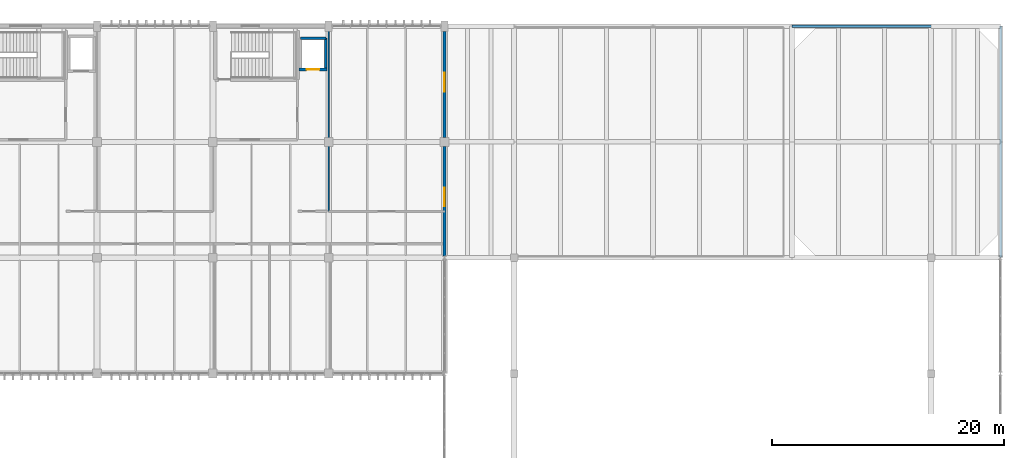
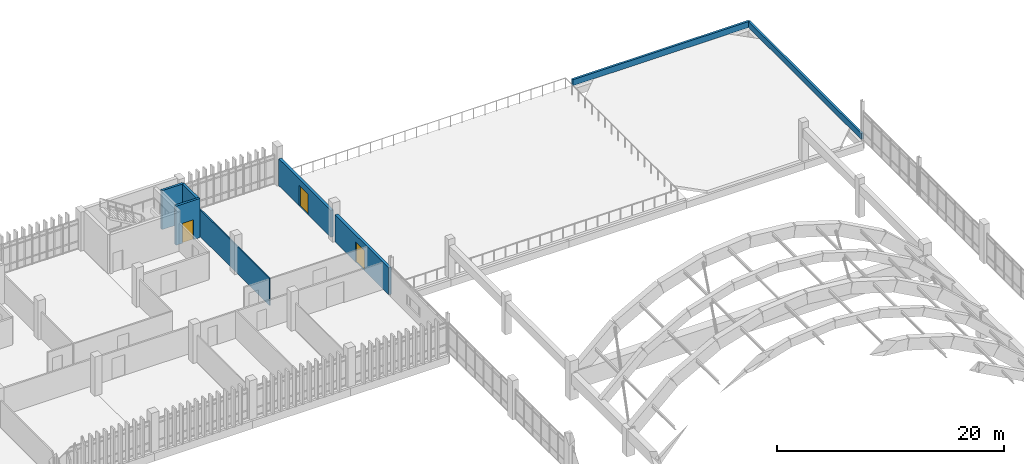
# One storey, part 106 of 111: 8 walls, 3 doors, 3 openings.
"""IFC4 building model written with IfcOpenShell, lengths in metres."""

from ifc_helpers import new_model, si_unit, direction, frame, frame_2d, origin, place, context, subcontext, project, spatial, rectangle, extrude, material, layer, layer_set, type_object, element, fill, save


model = new_model("IFC4")

# Units and contexts
model_context = context("Model", 3, precision=1e-05, world=origin(), true_north=direction((0.0, 1.0)))
body_context = subcontext(model_context, "Body", "Model", "MODEL_VIEW")
ifc_project = project(units=[si_unit("LENGTHUNIT", "METRE"), si_unit("AREAUNIT", "SQUARE_METRE"), si_unit("VOLUMEUNIT", "CUBIC_METRE"), si_unit("PLANEANGLEUNIT", "RADIAN"), si_unit("MASSUNIT", "GRAM", prefix="KILO")], contexts=[model_context])

# Site, building, storey
site_placement = place(None, origin())
site = spatial("IfcSite", under=ifc_project, at=site_placement, CompositionType="ELEMENT")
building_placement = place(site_placement, origin())
building = spatial("IfcBuilding", under=site, at=building_placement, Name="Mersad Railyard Sports Hall", CompositionType="ELEMENT")
storey_placement = place(building_placement, frame((0.0, 0.0, 9.0)))
storey = spatial("IfcBuildingStorey", under=building, at=storey_placement, Name="L02", CompositionType="ELEMENT", Elevation=9.0)

# Wall, opening, door
ifc_material_1 = material(Name="Precast concrete C45/55", Category="concrete")
ifc_layer_1 = layer(ifc_material_1, 0.280029296875)
ifc_layer_set_1 = layer_set([ifc_layer_1], Name="Precast concrete C45/55")
wall_type_1 = type_object("IfcWallType", Name="ARC-WL-EW03", PredefinedType="SOLIDWALL", material=ifc_layer_set_1)
wall_1_placement = place(storey_placement, frame((131.0, 104.625, 0.0), z_axis=(0.0, 0.0, 1.0), x_axis=(0.0, -1.0, 0.0)))
wall_1 = element("IfcWall", 1, at=wall_1_placement, inside=storey, type_object=wall_type_1, Name="External wall EW03-0127", PredefinedType="SOLIDWALL", context=body_context, shape_type="SweptSolid", body=[
    extrude(rectangle(XDim=9.47509765625, YDim=0.280029296875, at=frame_2d((4.737548828125, 0.0))), origin(), (0.0, 0.0, 1.0), 2.905029296875),
])
opening_1_placement = place(wall_1_placement, frame((3.60009765625, 0.0, 0.0)))
opening_1 = element("IfcOpeningElement", 2, at=opening_1_placement, cuts=wall_1, Name="Opening TD02", PredefinedType="OPENING", context=body_context, shape_type="SweptSolid", body=[
    extrude(rectangle(XDim=1.60009765625, YDim=2.199951171875, at=frame_2d((0.800048828125, 1.10009765625))), frame((0.0, 0.14990234375, 0.0), z_axis=(0.0, -1.0, 0.0), x_axis=(1.0, 0.0, 0.0)), (0.0, 0.0, 1.0), 0.300048828125),
])
ifc_material_2 = material(Name="Aluminium 6063-T6", Category="aluminium")
door_type_1 = type_object("IfcDoorType", Name="ARC-DR-TD02", OperationType="NOTDEFINED", PredefinedType="DOOR", material=ifc_material_2)
door_1_placement = place(opening_1_placement, origin())
door_1 = element("IfcDoor", 3, at=door_1_placement, inside=storey, type_object=door_type_1, Name="L02 east terrace door TD02-040", OperationType="DOUBLE_DOOR_SINGLE_SWING", OverallHeight=2.199951171875, OverallWidth=1.60009765625, PredefinedType="DOOR", context=body_context, shape_type="SweptSolid", body=[
    extrude(rectangle(XDim=1.60009765625, YDim=2.199951171875, at=frame_2d((0.800048828125, 1.10009765625))), frame((0.0, 0.02490234375, 0.0), z_axis=(0.0, -1.0, 0.0), x_axis=(1.0, 0.0, 0.0)), (0.0, 0.0, 1.0), 0.050048828125),
])
fill(opening_1, door_1)

wall_2_placement = place(storey_placement, frame((131.0, 114.550048828125, 0.0), z_axis=(0.0, 0.0, 1.0), x_axis=(0.0, -1.0, 0.0)))
wall_2 = element("IfcWall", 4, at=wall_2_placement, inside=storey, type_object=wall_type_1, Name="External wall EW03-0128", PredefinedType="SOLIDWALL", context=body_context, shape_type="SweptSolid", body=[
    extrude(rectangle(XDim=9.175048828125, YDim=0.280029296875, at=frame_2d((4.58740234375, 0.0))), origin(), (0.0, 0.0, 1.0), 2.905029296875),
])
opening_2_placement = place(wall_2_placement, frame((3.60009765625, 0.0, 0.0)))
opening_2 = element("IfcOpeningElement", 5, at=opening_2_placement, cuts=wall_2, Name="Opening TD02", PredefinedType="OPENING", context=body_context, shape_type="SweptSolid", body=[
    extrude(rectangle(XDim=1.60009765625, YDim=2.199951171875, at=frame_2d((0.800048828125, 1.10009765625))), frame((0.0, 0.14990234375, 0.0), z_axis=(0.0, -1.0, 0.0), x_axis=(1.0, 0.0, 0.0)), (0.0, 0.0, 1.0), 0.300048828125),
])
door_2_placement = place(opening_2_placement, origin())
door_2 = element("IfcDoor", 6, at=door_2_placement, inside=storey, type_object=door_type_1, Name="L02 east terrace door TD02-041", OperationType="DOUBLE_DOOR_SINGLE_SWING", OverallHeight=2.199951171875, OverallWidth=1.60009765625, PredefinedType="DOOR", context=body_context, shape_type="SweptSolid", body=[
    extrude(rectangle(XDim=1.60009765625, YDim=2.199951171875, at=frame_2d((0.800048828125, 1.10009765625))), frame((0.0, 0.02490234375, 0.0), z_axis=(0.0, -1.0, 0.0), x_axis=(1.0, 0.0, 0.0)), (0.0, 0.0, 1.0), 0.050048828125),
])
fill(opening_2, door_2)

# Walls
ifc_material_3 = material(Name="Architectural concrete C40/50", Category="concrete")
ifc_layer_2 = layer(ifc_material_3, 0.219970703125)
ifc_layer_set_2 = layer_set([ifc_layer_2], Name="Architectural concrete C40/50")
wall_type_2 = type_object("IfcWallType", Name="ARC-WL-PP01", PredefinedType="PARAPET", material=ifc_layer_set_2)
wall_3_placement = place(storey_placement, frame((161.0, 115.0, 0.0), z_axis=(0.0, 0.0, 1.0), x_axis=(1.0, 0.0, 0.0)))
element("IfcWall", 7, at=wall_3_placement, inside=storey, type_object=wall_type_2, Name="External wall PP01-0162", PredefinedType="PARAPET", context=body_context, shape_type="SweptSolid", body=[
    extrude(rectangle(XDim=18.0, YDim=0.219970703125, at=frame_2d((9.0, 0.0))), origin(), (0.0, 0.0, 1.0), 0.64990234375),
])
wall_4_placement = place(storey_placement, frame((179.0, 115.0, 0.0), z_axis=(0.0, 0.0, 1.0), x_axis=(0.0, -1.0, 0.0)))
element("IfcWall", 8, at=wall_4_placement, inside=storey, type_object=wall_type_2, Name="External wall PP01-0163", PredefinedType="PARAPET", context=body_context, shape_type="SweptSolid", body=[
    extrude(rectangle(XDim=20.0, YDim=0.219970703125, at=frame_2d((10.0, 0.0))), origin(), (0.0, 0.0, 1.0), 0.64990234375),
])
ifc_material_4 = material(Name="Gypsum plasterboard", Category="gypsum")
ifc_layer_3 = layer(ifc_material_4, 0.1201171875)
ifc_layer_set_3 = layer_set([ifc_layer_3], Name="Gypsum plasterboard")
wall_type_3 = type_object("IfcWallType", Name="ARC-WL-PT04", PredefinedType="PARTITIONING", material=ifc_layer_set_3)
wall_5_placement = place(storey_placement, frame((121.0, 99.0, 0.0), z_axis=(0.0, 0.0, 1.0), x_axis=(0.0, 1.0, 0.0)))
element("IfcWall", 9, at=wall_5_placement, inside=storey, type_object=wall_type_3, Name="Interior wall PT04-0476", PredefinedType="PARTITIONING", context=body_context, shape_type="SweptSolid", body=[
    extrude(rectangle(XDim=15.75, YDim=0.1201171875, at=frame_2d((7.875, 0.0))), origin(), (0.0, 0.0, 1.0), 2.905029296875),
])
ifc_material_5 = material(Name="Concrete C40/50", Category="concrete")
ifc_layer_4 = layer(ifc_material_5, 0.239990234375)
ifc_layer_set_4 = layer_set([ifc_layer_4], Name="Concrete C40/50")
wall_type_4 = type_object("IfcWallType", Name="STR-WL-SW03", PredefinedType="SHEAR", material=ifc_layer_set_4)
wall_6_placement = place(storey_placement, frame((120.75, 113.949951171875, 0.0), z_axis=(0.0, 0.0, 1.0), x_axis=(0.0, -1.0, 0.0)))
element("IfcWall", 10, at=wall_6_placement, inside=storey, type_object=wall_type_4, Name="Interior wall SW03-0067", PredefinedType="SHEAR", context=body_context, shape_type="SweptSolid", body=[
    extrude(rectangle(XDim=2.699951171875, YDim=0.239990234375, at=frame_2d((1.35009765625, 0.0))), origin(), (0.0, 0.0, 1.0), 4.199951171875),
])
wall_7_placement = place(storey_placement, frame((118.550048828125, 113.949951171875, 0.0), z_axis=(0.0, 0.0, 1.0), x_axis=(1.0, 0.0, 0.0)))
element("IfcWall", 11, at=wall_7_placement, inside=storey, type_object=wall_type_4, Name="Interior wall SW03-0068", PredefinedType="SHEAR", context=body_context, shape_type="SweptSolid", body=[
    extrude(rectangle(XDim=2.199951171875, YDim=0.239990234375, at=frame_2d((1.10009765625, 0.0))), origin(), (0.0, 0.0, 1.0), 4.199951171875),
])

# Wall, opening, door
wall_8_placement = place(storey_placement, frame((120.8701171875, 111.25, 0.0), z_axis=(0.0, 0.0, 1.0), x_axis=(-1.0, 0.0, 0.0)))
wall_8 = element("IfcWall", 12, at=wall_8_placement, inside=storey, type_object=wall_type_4, Name="Interior wall SW03-0069", PredefinedType="SHEAR", context=body_context, shape_type="SweptSolid", body=[
    extrude(rectangle(XDim=2.440185546875, YDim=0.239990234375, at=frame_2d((1.22021484375, 0.0))), origin(), (0.0, 0.0, 1.0), 4.199951171875),
])
opening_3_placement = place(wall_8_placement, frame((0.669921875, 0.0, 0.0)))
opening_3 = element("IfcOpeningElement", 13, at=opening_3_placement, cuts=wall_8, Name="Opening LD01", PredefinedType="OPENING", context=body_context, shape_type="SweptSolid", body=[
    extrude(rectangle(XDim=1.10009765625, YDim=2.14990234375, at=frame_2d((0.550048828125, 1.074951171875))), frame((0.0, 0.1298828125, 0.0), z_axis=(0.0, -1.0, 0.0), x_axis=(1.0, 0.0, 0.0)), (0.0, 0.0, 1.0), 0.260009765625),
])
ifc_material_6 = material(Name="Steel S355", Category="steel")
door_type_2 = type_object("IfcDoorType", Name="ARC-DR-LD01", OperationType="NOTDEFINED", PredefinedType="USERDEFINED", material=ifc_material_6)
door_3_placement = place(opening_3_placement, origin())
door_3 = element("IfcDoor", 14, at=door_3_placement, inside=storey, type_object=door_type_2, Name="Lift PL-03 landing door LD01-0018", ObjectType="LANDING DOOR", OperationType="DOUBLE_DOOR_SLIDING", OverallHeight=2.14990234375, OverallWidth=1.10009765625, PredefinedType="USERDEFINED", context=body_context, shape_type="SweptSolid", body=[
    extrude(rectangle(XDim=1.10009765625, YDim=2.14990234375, at=frame_2d((0.550048828125, 1.074951171875))), frame((0.0, 0.02490234375, 0.0), z_axis=(0.0, -1.0, 0.0), x_axis=(1.0, 0.0, 0.0)), (0.0, 0.0, 1.0), 0.050048828125),
])
fill(opening_3, door_3)

save(model, "model.ifc")
